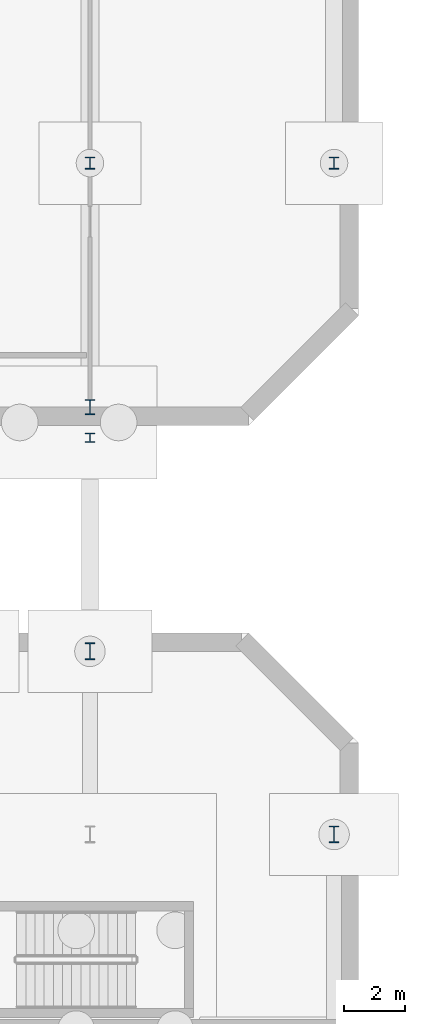
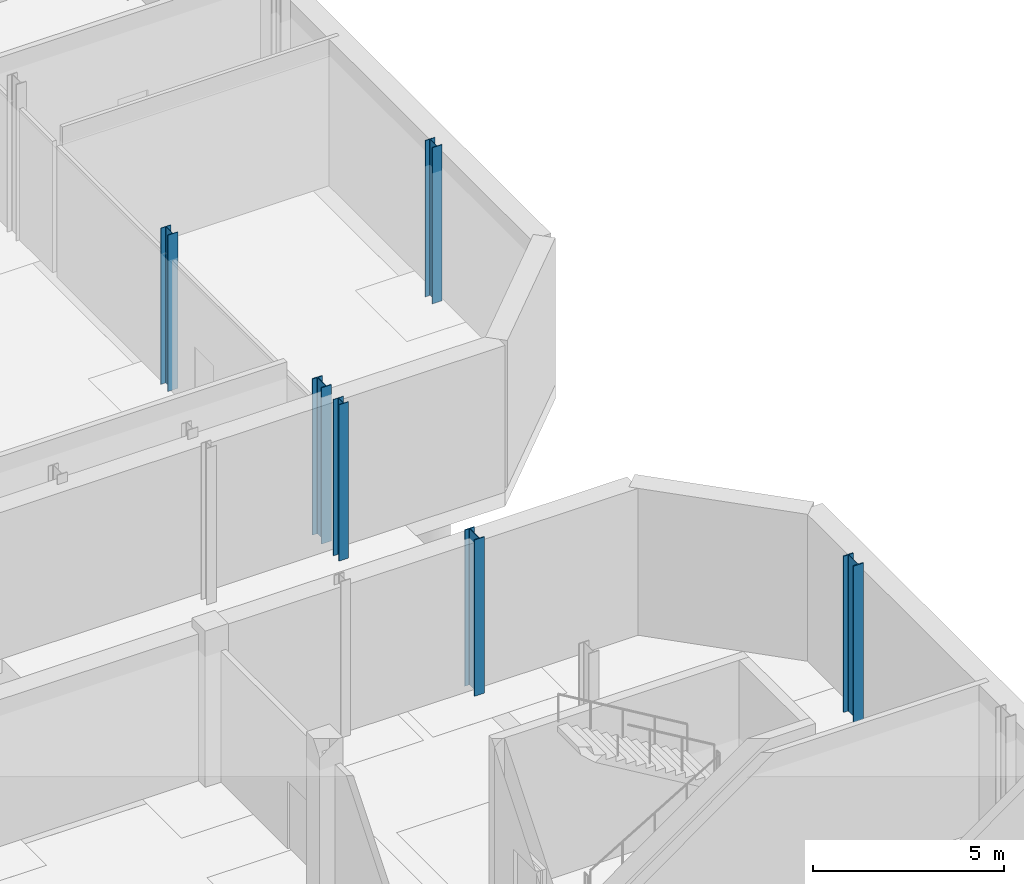
# One storey, part 14 of 47: 6 columns.
"""IFC4 building model written with IfcOpenShell, lengths in metres."""

import ifcopenshell
import ifcopenshell.guid

model = None  # the IFC model being written
_history = None  # IfcOwnerHistory: only IFC2X3 demands one
_inside = {}  # id of a spatial element -> (the spatial element, [elements in it])
_under = {}  # id of a project, library or spatial element -> (it, [spatial elements below it])
_declared = {}  # id of a project -> (the project, [libraries it declares])
_typed = {}  # id of a type object -> (the type object, [elements of that type])
_made_of = {}  # id of a material, layer set ... -> (it, [elements and type objects made of it])


def new_model(schema):
    """Start an empty IFC model of exactly this schema.

    Asked for "IFC4X3", IfcOpenShell would pick the latest addendum, in which some entities
    have other attributes; the version numbers below select the first issue.
    IFC2X3 requires an IfcOwnerHistory on every rooted entity: one is made here for all.
    """
    global model, _history
    if schema == "IFC4X3":
        model = ifcopenshell.file(schema_version=(4, 3, 0, 0))
    else:
        model = ifcopenshell.file(schema=schema)
    _inside.clear()
    _under.clear()
    _declared.clear()
    _typed.clear()
    _made_of.clear()
    _history = None
    if model.schema == "IFC2X3":
        org = make("IfcOrganization", Name="unknown")
        user = make(
            "IfcPersonAndOrganization",
            ThePerson=make("IfcPerson", FamilyName="unknown"),
            TheOrganization=org,
        )
        app = make(
            "IfcApplication",
            ApplicationDeveloper=org,
            Version="unknown",
            ApplicationFullName="unknown",
            ApplicationIdentifier="unknown",
        )
        _history = make(
            "IfcOwnerHistory",
            OwningUser=user,
            OwningApplication=app,
            ChangeAction="ADDED",
            CreationDate=0,
        )
    return model


def make(cls, **values):
    """One entity of the class cls with the attributes given. An attribute that is None is left unset."""
    return model.create_entity(
        cls, **{name: value for name, value in values.items() if value is not None}
    )


def rooted(cls, **values):
    """An entity with a GlobalId (a new one), such as an element, a storey or a relation."""
    return make(cls, GlobalId=ifcopenshell.guid.new(), OwnerHistory=_history, **values)


def si_unit(unit_type, name, prefix=None):
    """IfcSIUnit, for example si_unit("LENGTHUNIT", "METRE", prefix="MILLI")."""
    return make("IfcSIUnit", UnitType=unit_type, Prefix=prefix, Name=name)


def assignment(units):
    """IfcUnitAssignment: the units of a project."""
    return None if units is None else make("IfcUnitAssignment", Units=units)


def point(xyz):
    """IfcCartesianPoint."""
    return None if xyz is None else make("IfcCartesianPoint", Coordinates=xyz)


def direction(xyz):
    """IfcDirection."""
    return None if xyz is None else make("IfcDirection", DirectionRatios=xyz)


def frame(location, z_axis=None, x_axis=None):
    """IfcAxis2Placement3D, a coordinate frame: its origin and axes. An axis left out is left unset."""
    return make(
        "IfcAxis2Placement3D",
        Location=point(location),
        Axis=direction(z_axis),
        RefDirection=direction(x_axis),
    )


def frame_2d(location, x_axis=None):
    """IfcAxis2Placement2D, a coordinate frame in the plane: its origin and x axis."""
    return make(
        "IfcAxis2Placement2D", Location=point(location), RefDirection=direction(x_axis)
    )


def origin():
    """The frame at (0, 0, 0) with its axes left unset."""
    return frame((0.0, 0.0, 0.0))


def origin_2d():
    """The frame at (0, 0) in the plane with its x axis left unset."""
    return frame_2d((0.0, 0.0))


def place(relative_to, where):
    """IfcLocalPlacement: puts the frame where relative to a parent placement (None: the world)."""
    return make(
        "IfcLocalPlacement", PlacementRelTo=relative_to, RelativePlacement=where
    )


def context(
    kind, dimensions, precision=None, world=None, true_north=None, identifier=None
):
    """IfcGeometricRepresentationContext, for example the 3D "Model" context."""
    return make(
        "IfcGeometricRepresentationContext",
        ContextIdentifier=identifier,
        ContextType=kind,
        CoordinateSpaceDimension=dimensions,
        Precision=precision,
        WorldCoordinateSystem=world,
        TrueNorth=true_north,
    )


def subcontext(parent, identifier, kind, view, scale=None):
    """IfcGeometricRepresentationSubContext, for example "Body" below "Model"."""
    return make(
        "IfcGeometricRepresentationSubContext",
        ContextIdentifier=identifier,
        ContextType=kind,
        ParentContext=parent,
        TargetScale=scale,
        TargetView=view,
    )


def project(units=None, contexts=None):
    """IfcProject with its units and contexts."""
    return rooted(
        "IfcProject",
        Name="project",
        RepresentationContexts=contexts,
        UnitsInContext=assignment(units),
    )


def spatial(cls, under=None, at=None, **own):
    """A site, building, storey or space (cls), placed at a placement, below another one or the project."""
    s = rooted(cls, ObjectPlacement=at, **own)
    if under is not None:
        _under.setdefault(under.id(), (under, []))[1].append(s)
    return s


def profile(cls, at=None, kind="AREA", **sizes):
    """A parametric profile (cls). Its sizes go by their IFC names, for example OverallWidth=200.0."""
    return make(cls, ProfileType=kind, Position=at, **sizes)


def i_section(**sizes):
    """IfcIShapeProfileDef."""
    return profile("IfcIShapeProfileDef", **sizes)


def extrude(swept, where, along, depth):
    """IfcExtrudedAreaSolid: the profile swept, set in the frame where, extruded along a direction by depth."""
    return make(
        "IfcExtrudedAreaSolid",
        SweptArea=swept,
        Position=where,
        ExtrudedDirection=direction(along),
        Depth=depth,
    )


def shape(context_of_items, identifier, shape_type, items):
    """IfcShapeRepresentation: the items that make up one representation, for example the "Body"."""
    return make(
        "IfcShapeRepresentation",
        ContextOfItems=context_of_items,
        RepresentationIdentifier=identifier,
        RepresentationType=shape_type,
        Items=items,
    )


def material(Name=None, Category=None):
    """IfcMaterial."""
    return make("IfcMaterial", Name=Name, Category=Category)


def material_profile(
    of_material, cross_section, Name=None, Category=None, Priority=None
):
    """IfcMaterialProfile: a cross section and its material."""
    return make(
        "IfcMaterialProfile",
        Name=Name,
        Material=of_material,
        Profile=cross_section,
        Priority=Priority,
        Category=Category,
    )


def profile_set(profiles, Name=None, composite=None):
    """IfcMaterialProfileSet."""
    return make(
        "IfcMaterialProfileSet",
        Name=Name,
        MaterialProfiles=profiles,
        CompositeProfile=composite,
    )


def made_of(thing, what):
    """Note that an element or type object is made of a material, layer set ...; save() writes the relation."""
    if what is not None:
        _made_of.setdefault(what.id(), (what, []))[1].append(thing)
    return thing


def type_object(cls, material=None, **own):
    """A type object (cls), such as IfcWallType, which elements share."""
    return made_of(rooted(cls, **own), material)


def element(
    cls,
    number,
    at=None,
    inside=None,
    cuts=None,
    type_object=None,
    material=None,
    context=None,
    identifier="Body",
    shape_type=None,
    held_by="IfcProductDefinitionShape",
    body=None,
    shapes=None,
    **own,
):
    """One element of the class cls, such as IfcWall. Its Tag is "e" and its number.

    at: its placement. inside: the storey or other place that contains it. cuts: it is an
    opening in that element (IfcRelVoidsElement). A single representation is given by context,
    identifier, shape_type and body (its items); several are given by shapes. held_by: the class
    of the entity that holds the representations. save() writes the other relations.
    """
    e = rooted(cls, Tag="e%d" % number, ObjectPlacement=at, **own)
    if body is not None:
        shapes = [shape(context, identifier, shape_type, body)]
    if shapes is not None:
        e.Representation = make(held_by, Representations=shapes)
    if inside is not None:
        _inside.setdefault(inside.id(), (inside, []))[1].append(e)
    if cuts is not None:
        rooted(
            "IfcRelVoidsElement", RelatingBuildingElement=cuts, RelatedOpeningElement=e
        )
    if type_object is not None:
        _typed.setdefault(type_object.id(), (type_object, []))[1].append(e)
    return made_of(e, material)


def aggregate(whole, parts):
    """IfcRelAggregates: a whole, such as a stair, and the parts it consists of."""
    return rooted("IfcRelAggregates", RelatingObject=whole, RelatedObjects=parts)


def save(model, path):
    """Write the relations noted so far, then the file.

    IfcRelAggregates (storeys below a building ...), IfcRelContainedInSpatialStructure (elements
    in a storey), IfcRelDefinesByType, IfcRelAssociatesMaterial and IfcRelDeclares: one each for
    every whole, place, type object, material and project.
    """
    for whole, parts in _under.values():
        aggregate(whole, parts)
    for where, things in _inside.values():
        rooted(
            "IfcRelContainedInSpatialStructure",
            RelatedElements=things,
            RelatingStructure=where,
        )
    for kind, things in _typed.values():
        rooted("IfcRelDefinesByType", RelatedObjects=things, RelatingType=kind)
    for what, things in _made_of.values():
        rooted("IfcRelAssociatesMaterial", RelatedObjects=things, RelatingMaterial=what)
    for by, libraries in _declared.values():
        rooted("IfcRelDeclares", RelatingContext=by, RelatedDefinitions=libraries)
    model.write(path)


model = new_model("IFC4")

# Units and contexts
model_context = context("Model", 3, precision=1e-05, world=origin(), true_north=direction((0.0, 1.0)))
body_context = subcontext(model_context, "Body", "Model", "MODEL_VIEW")
ifc_project = project(units=[si_unit("LENGTHUNIT", "METRE"), si_unit("AREAUNIT", "SQUARE_METRE"), si_unit("VOLUMEUNIT", "CUBIC_METRE"), si_unit("PLANEANGLEUNIT", "RADIAN"), si_unit("MASSUNIT", "GRAM", prefix="KILO")], contexts=[model_context])

# Site, building, storey
site_placement = place(None, origin())
site = spatial("IfcSite", under=ifc_project, at=site_placement, CompositionType="ELEMENT")
building_placement = place(site_placement, origin())
building = spatial("IfcBuilding", under=site, at=building_placement, Name="Cymarion Research Institute", CompositionType="ELEMENT")
storey_placement = place(building_placement, frame((0.0, 0.0, -5.0)))
storey = spatial("IfcBuildingStorey", under=building, at=storey_placement, Name="B1", CompositionType="ELEMENT", Elevation=-5.0)

# Columns
ifc_material = material(Name="Steel S355", Category="steel")
ifc_material_profile_1 = material_profile(ifc_material, i_section(OverallWidth=0.300048828125, OverallDepth=0.550048828125, WebThickness=0.014892578125, FlangeThickness=0.029052734375, FilletRadius=0.027099609375, at=origin_2d()), Name="HEB 550")
ifc_profile_set_1 = profile_set([ifc_material_profile_1], Name="Steel S355")
column_type_1 = type_object("IfcColumnType", Name="STRUCTURAL COLUMN C03 HEB 550", PredefinedType="COLUMN", material=ifc_profile_set_1)
for number, where, z_axis, x_axis, name in (
    (1, (38.60009765625, 77.5, 0.0), (0.0, 0.0, 1.0), (1.0, 0.0, 0.0), "B1 V4 column C03 #82"),
    (2, (46.60009765625, 71.5, 0.0), (0.0, 0.0, 1.0), (1.0, 0.0, 0.0), "B1 V4 column C03 #103"),
):
    element("IfcColumn", number, at=place(storey_placement, frame(where, z_axis=z_axis, x_axis=x_axis)), inside=storey, type_object=column_type_1, Name=name, PredefinedType="COLUMN", context=body_context, shape_type="SweptSolid", body=[
        extrude(i_section(OverallWidth=0.300048828125, OverallDepth=0.550048828125, WebThickness=0.014892578125, FlangeThickness=0.029052734375, FilletRadius=0.027099609375, at=origin_2d()), origin(), (0.0, 0.0, 1.0), 5.0),
    ])
ifc_material_profile_2 = material_profile(ifc_material, i_section(OverallWidth=0.300048828125, OverallDepth=0.5, WebThickness=0.014404296875, FlangeThickness=0.028076171875, FilletRadius=0.027099609375, at=origin_2d()), Name="HEB 500")
ifc_profile_set_2 = profile_set([ifc_material_profile_2], Name="Steel S355")
column_type_2 = type_object("IfcColumnType", Name="STRUCTURAL COLUMN C04 HEB 500", PredefinedType="COLUMN", material=ifc_profile_set_2)
column_1_placement = place(storey_placement, frame((38.60009765625, 85.5, 0.0), z_axis=(0.0, 0.0, 1.0), x_axis=(1.0, 0.0, 0.0)))
element("IfcColumn", 3, at=column_1_placement, inside=storey, type_object=column_type_2, Name="B1 V5 column C04 #84", PredefinedType="COLUMN", context=body_context, shape_type="SweptSolid", body=[
    extrude(i_section(OverallWidth=0.300048828125, OverallDepth=0.5, WebThickness=0.014404296875, FlangeThickness=0.028076171875, FilletRadius=0.027099609375, at=origin_2d()), origin(), (0.0, 0.0, 1.0), 5.0),
])
ifc_material_profile_3 = material_profile(ifc_material, i_section(OverallWidth=0.300048828125, OverallDepth=0.300048828125, WebThickness=0.010986328125, FlangeThickness=0.01904296875, FilletRadius=0.027099609375, at=origin_2d()), Name="HEB 300")
ifc_profile_set_3 = profile_set([ifc_material_profile_3], Name="Steel S355")
column_type_3 = type_object("IfcColumnType", Name="STRUCTURAL COLUMN C08 HEB 300", PredefinedType="COLUMN", material=ifc_profile_set_3)
column_2_placement = place(storey_placement, frame((38.60009765625, 84.5, 0.0), z_axis=(0.0, 0.0, 1.0), x_axis=(1.0, 0.0, 0.0)))
element("IfcColumn", 4, at=column_2_placement, inside=storey, type_object=column_type_3, Name="B1 V4 column C08 #83", PredefinedType="COLUMN", context=body_context, shape_type="SweptSolid", body=[
    extrude(i_section(OverallWidth=0.300048828125, OverallDepth=0.300048828125, WebThickness=0.010986328125, FlangeThickness=0.01904296875, FilletRadius=0.027099609375, at=origin_2d()), origin(), (0.0, 0.0, 1.0), 5.0),
])
ifc_material_profile_4 = material_profile(ifc_material, i_section(OverallWidth=0.300048828125, OverallDepth=0.389892578125, WebThickness=0.010986328125, FlangeThickness=0.01904296875, FilletRadius=0.027099609375, at=origin_2d()), Name="HEA 400")
ifc_profile_set_4 = profile_set([ifc_material_profile_4], Name="Steel S355")
column_type_4 = type_object("IfcColumnType", Name="STRUCTURAL COLUMN C11 HEA 400", PredefinedType="COLUMN", material=ifc_profile_set_4)
for number, where, z_axis, x_axis, name in (
    (5, (38.60009765625, 93.5, 0.0), (0.0, 0.0, 1.0), (1.0, 0.0, 0.0), "B1 V5 column C11 #85"),
    (6, (46.60009765625, 93.5, 0.0), (0.0, 0.0, 1.0), (1.0, 0.0, 0.0), "B1 V5 column C11 #104"),
):
    element("IfcColumn", number, at=place(storey_placement, frame(where, z_axis=z_axis, x_axis=x_axis)), inside=storey, type_object=column_type_4, Name=name, PredefinedType="COLUMN", context=body_context, shape_type="SweptSolid", body=[
        extrude(i_section(OverallWidth=0.300048828125, OverallDepth=0.389892578125, WebThickness=0.010986328125, FlangeThickness=0.01904296875, FilletRadius=0.027099609375, at=origin_2d()), origin(), (0.0, 0.0, 1.0), 5.0),
    ])

save(model, "model.ifc")
